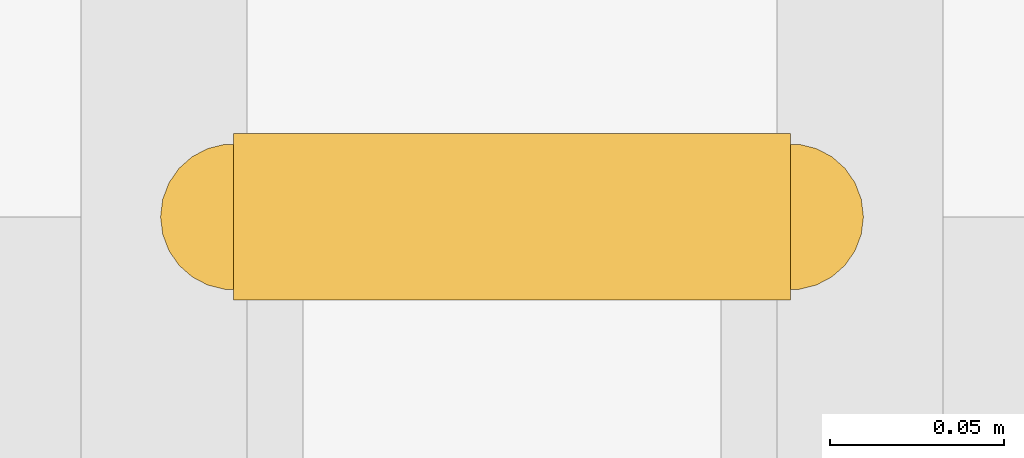
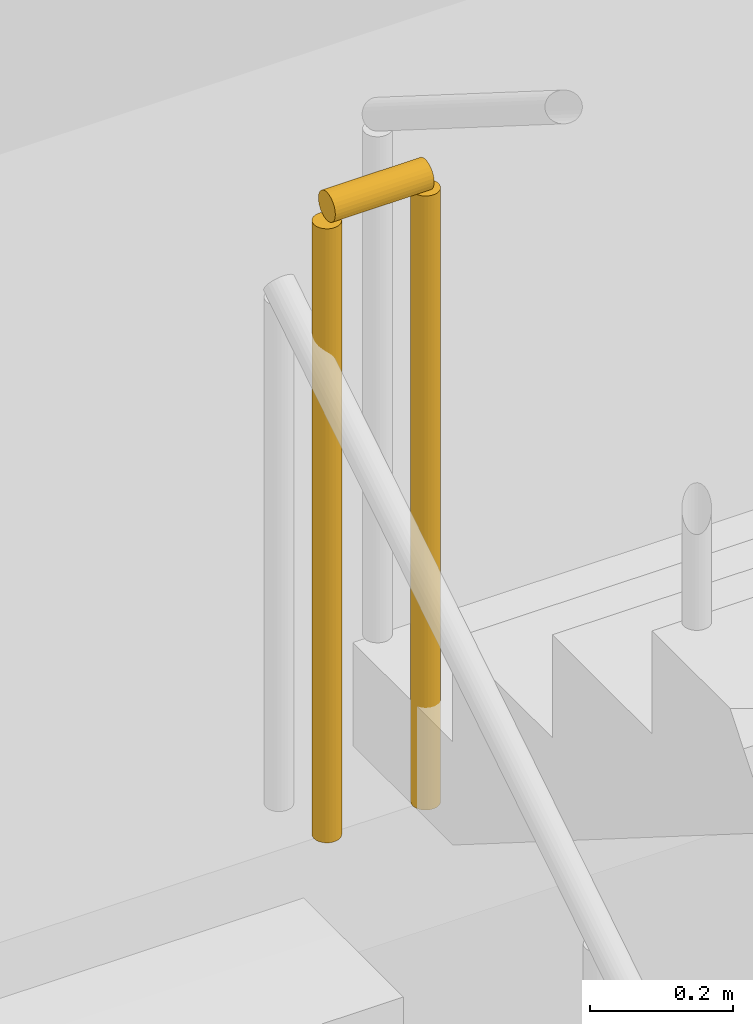
# One storey, part 121 of 140: 1 railing.
"""IFC4 building model written with IfcOpenShell, lengths in metres."""

import ifcopenshell
import ifcopenshell.guid

model = None  # the IFC model being written
_history = None  # IfcOwnerHistory: only IFC2X3 demands one
_inside = {}  # id of a spatial element -> (the spatial element, [elements in it])
_under = {}  # id of a project, library or spatial element -> (it, [spatial elements below it])
_declared = {}  # id of a project -> (the project, [libraries it declares])
_typed = {}  # id of a type object -> (the type object, [elements of that type])
_made_of = {}  # id of a material, layer set ... -> (it, [elements and type objects made of it])


def new_model(schema):
    """Start an empty IFC model of exactly this schema.

    Asked for "IFC4X3", IfcOpenShell would pick the latest addendum, in which some entities
    have other attributes; the version numbers below select the first issue.
    IFC2X3 requires an IfcOwnerHistory on every rooted entity: one is made here for all.
    """
    global model, _history
    if schema == "IFC4X3":
        model = ifcopenshell.file(schema_version=(4, 3, 0, 0))
    else:
        model = ifcopenshell.file(schema=schema)
    _inside.clear()
    _under.clear()
    _declared.clear()
    _typed.clear()
    _made_of.clear()
    _history = None
    if model.schema == "IFC2X3":
        org = make("IfcOrganization", Name="unknown")
        user = make(
            "IfcPersonAndOrganization",
            ThePerson=make("IfcPerson", FamilyName="unknown"),
            TheOrganization=org,
        )
        app = make(
            "IfcApplication",
            ApplicationDeveloper=org,
            Version="unknown",
            ApplicationFullName="unknown",
            ApplicationIdentifier="unknown",
        )
        _history = make(
            "IfcOwnerHistory",
            OwningUser=user,
            OwningApplication=app,
            ChangeAction="ADDED",
            CreationDate=0,
        )
    return model


def make(cls, **values):
    """One entity of the class cls with the attributes given. An attribute that is None is left unset."""
    return model.create_entity(
        cls, **{name: value for name, value in values.items() if value is not None}
    )


def rooted(cls, **values):
    """An entity with a GlobalId (a new one), such as an element, a storey or a relation."""
    return make(cls, GlobalId=ifcopenshell.guid.new(), OwnerHistory=_history, **values)


def si_unit(unit_type, name, prefix=None):
    """IfcSIUnit, for example si_unit("LENGTHUNIT", "METRE", prefix="MILLI")."""
    return make("IfcSIUnit", UnitType=unit_type, Prefix=prefix, Name=name)


def assignment(units):
    """IfcUnitAssignment: the units of a project."""
    return None if units is None else make("IfcUnitAssignment", Units=units)


def point(xyz):
    """IfcCartesianPoint."""
    return None if xyz is None else make("IfcCartesianPoint", Coordinates=xyz)


def direction(xyz):
    """IfcDirection."""
    return None if xyz is None else make("IfcDirection", DirectionRatios=xyz)


def frame(location, z_axis=None, x_axis=None):
    """IfcAxis2Placement3D, a coordinate frame: its origin and axes. An axis left out is left unset."""
    return make(
        "IfcAxis2Placement3D",
        Location=point(location),
        Axis=direction(z_axis),
        RefDirection=direction(x_axis),
    )


def frame_2d(location, x_axis=None):
    """IfcAxis2Placement2D, a coordinate frame in the plane: its origin and x axis."""
    return make(
        "IfcAxis2Placement2D", Location=point(location), RefDirection=direction(x_axis)
    )


def origin():
    """The frame at (0, 0, 0) with its axes left unset."""
    return frame((0.0, 0.0, 0.0))


def origin_2d():
    """The frame at (0, 0) in the plane with its x axis left unset."""
    return frame_2d((0.0, 0.0))


def place(relative_to, where):
    """IfcLocalPlacement: puts the frame where relative to a parent placement (None: the world)."""
    return make(
        "IfcLocalPlacement", PlacementRelTo=relative_to, RelativePlacement=where
    )


def context(
    kind, dimensions, precision=None, world=None, true_north=None, identifier=None
):
    """IfcGeometricRepresentationContext, for example the 3D "Model" context."""
    return make(
        "IfcGeometricRepresentationContext",
        ContextIdentifier=identifier,
        ContextType=kind,
        CoordinateSpaceDimension=dimensions,
        Precision=precision,
        WorldCoordinateSystem=world,
        TrueNorth=true_north,
    )


def subcontext(parent, identifier, kind, view, scale=None):
    """IfcGeometricRepresentationSubContext, for example "Body" below "Model"."""
    return make(
        "IfcGeometricRepresentationSubContext",
        ContextIdentifier=identifier,
        ContextType=kind,
        ParentContext=parent,
        TargetScale=scale,
        TargetView=view,
    )


def project(units=None, contexts=None):
    """IfcProject with its units and contexts."""
    return rooted(
        "IfcProject",
        Name="project",
        RepresentationContexts=contexts,
        UnitsInContext=assignment(units),
    )


def spatial(cls, under=None, at=None, **own):
    """A site, building, storey or space (cls), placed at a placement, below another one or the project."""
    s = rooted(cls, ObjectPlacement=at, **own)
    if under is not None:
        _under.setdefault(under.id(), (under, []))[1].append(s)
    return s


def profile(cls, at=None, kind="AREA", **sizes):
    """A parametric profile (cls). Its sizes go by their IFC names, for example OverallWidth=200.0."""
    return make(cls, ProfileType=kind, Position=at, **sizes)


def circle(**sizes):
    """IfcCircleProfileDef."""
    return profile("IfcCircleProfileDef", **sizes)


def extrude(swept, where, along, depth):
    """IfcExtrudedAreaSolid: the profile swept, set in the frame where, extruded along a direction by depth."""
    return make(
        "IfcExtrudedAreaSolid",
        SweptArea=swept,
        Position=where,
        ExtrudedDirection=direction(along),
        Depth=depth,
    )


def shape(context_of_items, identifier, shape_type, items):
    """IfcShapeRepresentation: the items that make up one representation, for example the "Body"."""
    return make(
        "IfcShapeRepresentation",
        ContextOfItems=context_of_items,
        RepresentationIdentifier=identifier,
        RepresentationType=shape_type,
        Items=items,
    )


def material(Name=None, Category=None):
    """IfcMaterial."""
    return make("IfcMaterial", Name=Name, Category=Category)


def layer(
    of_material, thickness, ventilated=None, Name=None, Category=None, Priority=None
):
    """IfcMaterialLayer: one layer of a wall or slab, of a material (None: an air gap)."""
    return make(
        "IfcMaterialLayer",
        Material=of_material,
        LayerThickness=thickness,
        IsVentilated=ventilated,
        Name=Name,
        Category=Category,
        Priority=Priority,
    )


def layer_set(layers, Name=None):
    """IfcMaterialLayerSet."""
    return make("IfcMaterialLayerSet", MaterialLayers=layers, LayerSetName=Name)


def made_of(thing, what):
    """Note that an element or type object is made of a material, layer set ...; save() writes the relation."""
    if what is not None:
        _made_of.setdefault(what.id(), (what, []))[1].append(thing)
    return thing


def type_object(cls, material=None, **own):
    """A type object (cls), such as IfcWallType, which elements share."""
    return made_of(rooted(cls, **own), material)


def element(
    cls,
    number,
    at=None,
    inside=None,
    cuts=None,
    type_object=None,
    material=None,
    context=None,
    identifier="Body",
    shape_type=None,
    held_by="IfcProductDefinitionShape",
    body=None,
    shapes=None,
    **own,
):
    """One element of the class cls, such as IfcWall. Its Tag is "e" and its number.

    at: its placement. inside: the storey or other place that contains it. cuts: it is an
    opening in that element (IfcRelVoidsElement). A single representation is given by context,
    identifier, shape_type and body (its items); several are given by shapes. held_by: the class
    of the entity that holds the representations. save() writes the other relations.
    """
    e = rooted(cls, Tag="e%d" % number, ObjectPlacement=at, **own)
    if body is not None:
        shapes = [shape(context, identifier, shape_type, body)]
    if shapes is not None:
        e.Representation = make(held_by, Representations=shapes)
    if inside is not None:
        _inside.setdefault(inside.id(), (inside, []))[1].append(e)
    if cuts is not None:
        rooted(
            "IfcRelVoidsElement", RelatingBuildingElement=cuts, RelatedOpeningElement=e
        )
    if type_object is not None:
        _typed.setdefault(type_object.id(), (type_object, []))[1].append(e)
    return made_of(e, material)


def aggregate(whole, parts):
    """IfcRelAggregates: a whole, such as a stair, and the parts it consists of."""
    return rooted("IfcRelAggregates", RelatingObject=whole, RelatedObjects=parts)


def save(model, path):
    """Write the relations noted so far, then the file.

    IfcRelAggregates (storeys below a building ...), IfcRelContainedInSpatialStructure (elements
    in a storey), IfcRelDefinesByType, IfcRelAssociatesMaterial and IfcRelDeclares: one each for
    every whole, place, type object, material and project.
    """
    for whole, parts in _under.values():
        aggregate(whole, parts)
    for where, things in _inside.values():
        rooted(
            "IfcRelContainedInSpatialStructure",
            RelatedElements=things,
            RelatingStructure=where,
        )
    for kind, things in _typed.values():
        rooted("IfcRelDefinesByType", RelatedObjects=things, RelatingType=kind)
    for what, things in _made_of.values():
        rooted("IfcRelAssociatesMaterial", RelatedObjects=things, RelatingMaterial=what)
    for by, libraries in _declared.values():
        rooted("IfcRelDeclares", RelatingContext=by, RelatedDefinitions=libraries)
    model.write(path)


model = new_model("IFC4")

# Units and contexts
model_context = context("Model", 3, precision=1e-05, world=origin(), true_north=direction((0.0, 1.0)))
body_context = subcontext(model_context, "Body", "Model", "MODEL_VIEW")
ifc_project = project(units=[si_unit("LENGTHUNIT", "METRE"), si_unit("AREAUNIT", "SQUARE_METRE"), si_unit("VOLUMEUNIT", "CUBIC_METRE"), si_unit("PLANEANGLEUNIT", "RADIAN"), si_unit("MASSUNIT", "GRAM", prefix="KILO")], contexts=[model_context])

# Site, building, storey
site_placement = place(None, origin())
site = spatial("IfcSite", under=ifc_project, at=site_placement, CompositionType="ELEMENT")
building_placement = place(site_placement, origin())
building = spatial("IfcBuilding", under=site, at=building_placement, Name="Corvandel Quay Wholesale Market", CompositionType="ELEMENT")
storey_placement = place(building_placement, origin())
storey = spatial("IfcBuildingStorey", under=building, at=storey_placement, Name="L00", CompositionType="ELEMENT", Elevation=0.0)

# Railing
ifc_material = material(Name="Painted galvanised tubular steel", Category="steel")
ifc_layer = layer(ifc_material, 0.054931640625)
ifc_layer_set = layer_set([ifc_layer], Name="Painted galvanised tubular steel")
railing_type = type_object("IfcRailingType", Name="Stairwell Inner Guard Railing GR02 1100mm", PredefinedType="GUARDRAIL", material=ifc_layer_set)
railing_placement = place(storey_placement, frame((105.919921875, 97.530029296875, 3.0)))
element("IfcRailing", 1, at=railing_placement, inside=storey, type_object=railing_type, Name="Stair Landing Well Guard 0050", PredefinedType="GUARDRAIL", context=body_context, shape_type="SweptSolid", body=[
    extrude(circle(Radius=0.02392578125, at=origin_2d()), frame((0.0, 0.0, 1.076171875), z_axis=(1.0, 0.0, 0.0), x_axis=(0.0, 1.0, 0.0)), (0.0, 0.0, 1.0), 0.16015625),
    extrude(circle(Radius=0.02099609375, at=origin_2d()), origin(), (0.0, 0.0, 1.0), 1.052001953125),
    extrude(circle(Radius=0.02099609375, at=origin_2d()), frame((0.16015625, 0.0, 0.0)), (0.0, 0.0, 1.0), 1.052001953125),
])

save(model, "model.ifc")
